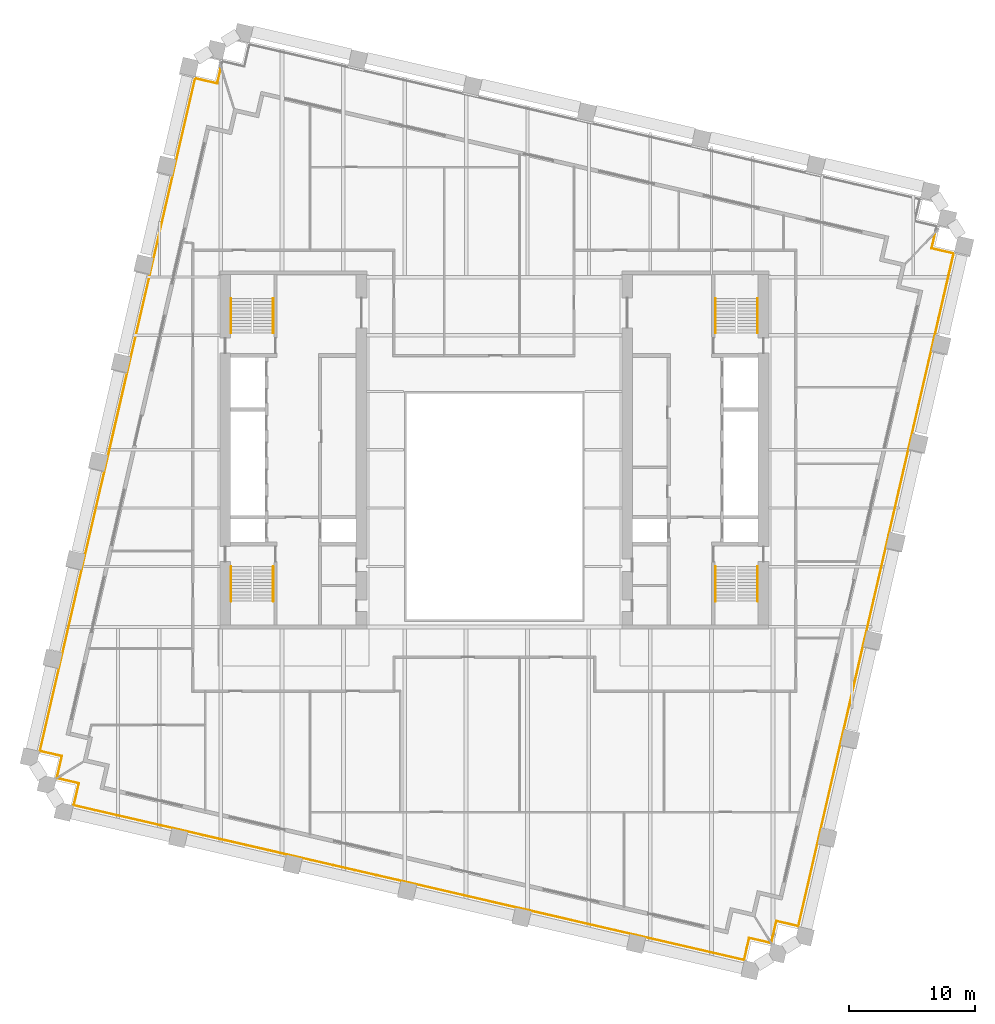
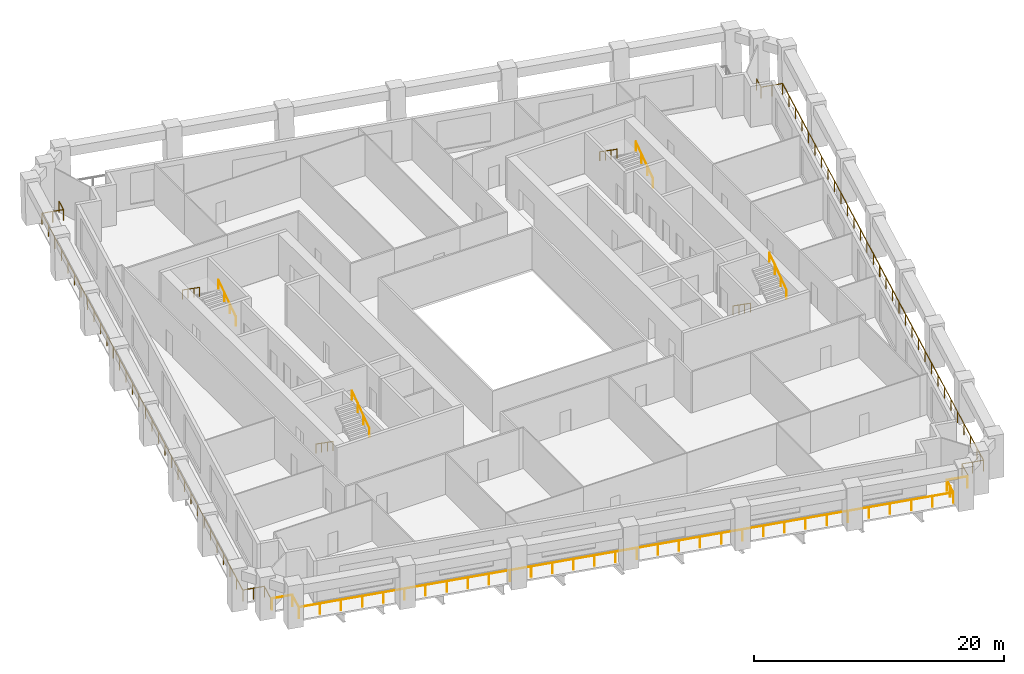
# One storey, part 9 of 10: 11 railings.
"""IFC4 building model written with IfcOpenShell, lengths in metres."""

from ifc_helpers import new_model, si_unit, direction, frame, origin, origin_2d, place, context, subcontext, project, spatial, circle, extrude, material, type_object, element, save


model = new_model("IFC4")

# Units and contexts
model_context = context("Model", 3, precision=1e-05, world=origin(), true_north=direction((0.0, 1.0)))
body_context = subcontext(model_context, "Body", "Model", "MODEL_VIEW")
ifc_project = project(units=[si_unit("LENGTHUNIT", "METRE"), si_unit("AREAUNIT", "SQUARE_METRE"), si_unit("VOLUMEUNIT", "CUBIC_METRE"), si_unit("PLANEANGLEUNIT", "RADIAN"), si_unit("MASSUNIT", "GRAM", prefix="KILO")], contexts=[model_context])

# Site, building, storey
site_placement = place(None, origin())
site = spatial("IfcSite", under=ifc_project, at=site_placement, CompositionType="ELEMENT")
building_placement = place(site_placement, origin())
building = spatial("IfcBuilding", under=site, at=building_placement, Name="Ogive Exchange Tower", CompositionType="ELEMENT")
storey_placement = place(building_placement, frame((0.0, 0.0, 118.199951171875)))
storey = spatial("IfcBuildingStorey", under=building, at=storey_placement, Name="L25", CompositionType="ELEMENT", Elevation=118.199951171875)

# Railings
ifc_material_1 = material(Name="Stainless steel 316", Category="steel")
railing_type_1 = type_object("IfcRailingType", Name="Guard 1100 stainless steel and glass", PredefinedType="GUARDRAIL", material=ifc_material_1)
railing_1_placement = place(storey_placement, frame((21.947265625, -27.74462890625, -0.050048828125)))
element("IfcRailing", 1, at=railing_1_placement, inside=storey, type_object=railing_type_1, Name="Loggia guard 1", PredefinedType="GUARDRAIL", context=body_context, shape_type="SweptSolid", body=[
    extrude(circle(Radius=0.02392578125, at=origin_2d()), frame((0.0, 0.0, 1.076171875), z_axis=(-0.974396013545, 0.224838628327, 0.0), x_axis=(-0.224838628327, -0.974396013545, 0.0)), (0.0, 0.0, 1.0), 1.7080078125),
    extrude(circle(Radius=0.02392578125, at=origin_2d()), frame((-1.664306640625, 0.384033203125, 1.076171875), z_axis=(-0.225008086135, -0.974356896201, 0.0), x_axis=(0.974356896201, -0.225008086135, 0.0)), (0.0, 0.0, 1.0), 1.800048828125),
    extrude(circle(Radius=0.02392578125, at=origin_2d()), frame((-2.0693359375, -1.369873046875, 1.076171875), z_axis=(-0.974368873975, 0.224956212247, 0.0), x_axis=(-0.224956212247, -0.974368873975, 0.0)), (0.0, 0.0, 1.0), 54.760009765625),
    extrude(circle(Radius=0.02392578125, at=origin_2d()), frame((-55.42578125, 10.94873046875, 1.076171875), z_axis=(0.22503782496, 0.974350028141, 0.0), x_axis=(-0.974350028141, 0.22503782496, 0.0)), (0.0, 0.0, 1.0), 1.7998046875),
    extrude(circle(Radius=0.02392578125, at=origin_2d()), frame((-55.020751953125, 12.702392578125, 1.076171875), z_axis=(-0.974364690374, 0.224974332206, 0.0), x_axis=(-0.224974332206, -0.974364690374, 0.0)), (0.0, 0.0, 1.0), 1.7080078125),
    extrude(circle(Radius=0.02099609375, at=origin_2d()), origin(), (0.0, 0.0, 1.0), 1.052001953125),
    extrude(circle(Radius=0.02099609375, at=origin_2d()), frame((-1.664306640625, 0.384033203125, 0.0)), (0.0, 0.0, 1.0), 1.052001953125),
    extrude(circle(Radius=0.02099609375, at=origin_2d()), frame((-1.86669921875, -0.492919921875, 0.0)), (0.0, 0.0, 1.0), 1.052001953125),
    extrude(circle(Radius=0.02099609375, at=origin_2d()), frame((-2.0693359375, -1.369873046875, 0.0)), (0.0, 0.0, 1.0), 1.052001953125),
    extrude(circle(Radius=0.02099609375, at=origin_2d()), frame((-3.79052734375, -0.972412109375, 0.0)), (0.0, 0.0, 1.0), 1.052001953125),
    extrude(circle(Radius=0.02099609375, at=origin_2d()), frame((-5.51171875, -0.5751953125, 0.0)), (0.0, 0.0, 1.0), 1.052001953125),
    extrude(circle(Radius=0.02099609375, at=origin_2d()), frame((-7.23291015625, -0.177734375, 0.0)), (0.0, 0.0, 1.0), 1.052001953125),
    extrude(circle(Radius=0.02099609375, at=origin_2d()), frame((-8.9541015625, 0.2197265625, 0.0)), (0.0, 0.0, 1.0), 1.052001953125),
    extrude(circle(Radius=0.02099609375, at=origin_2d()), frame((-10.67529296875, 0.616943359375, 0.0)), (0.0, 0.0, 1.0), 1.052001953125),
    extrude(circle(Radius=0.02099609375, at=origin_2d()), frame((-12.396484375, 1.014404296875, 0.0)), (0.0, 0.0, 1.0), 1.052001953125),
    extrude(circle(Radius=0.02099609375, at=origin_2d()), frame((-14.11767578125, 1.411865234375, 0.0)), (0.0, 0.0, 1.0), 1.052001953125),
    extrude(circle(Radius=0.02099609375, at=origin_2d()), frame((-15.838623046875, 1.80908203125, 0.0)), (0.0, 0.0, 1.0), 1.052001953125),
    extrude(circle(Radius=0.02099609375, at=origin_2d()), frame((-17.559814453125, 2.20654296875, 0.0)), (0.0, 0.0, 1.0), 1.052001953125),
    extrude(circle(Radius=0.02099609375, at=origin_2d()), frame((-19.281005859375, 2.603759765625, 0.0)), (0.0, 0.0, 1.0), 1.052001953125),
    extrude(circle(Radius=0.02099609375, at=origin_2d()), frame((-21.002197265625, 3.001220703125, 0.0)), (0.0, 0.0, 1.0), 1.052001953125),
    extrude(circle(Radius=0.02099609375, at=origin_2d()), frame((-22.723388671875, 3.398681640625, 0.0)), (0.0, 0.0, 1.0), 1.052001953125),
    extrude(circle(Radius=0.02099609375, at=origin_2d()), frame((-24.444580078125, 3.7958984375, 0.0)), (0.0, 0.0, 1.0), 1.052001953125),
    extrude(circle(Radius=0.02099609375, at=origin_2d()), frame((-26.165771484375, 4.193359375, 0.0)), (0.0, 0.0, 1.0), 1.052001953125),
    extrude(circle(Radius=0.02099609375, at=origin_2d()), frame((-27.886962890625, 4.5908203125, 0.0)), (0.0, 0.0, 1.0), 1.052001953125),
    extrude(circle(Radius=0.02099609375, at=origin_2d()), frame((-29.608154296875, 4.988037109375, 0.0)), (0.0, 0.0, 1.0), 1.052001953125),
    extrude(circle(Radius=0.02099609375, at=origin_2d()), frame((-31.329345703125, 5.385498046875, 0.0)), (0.0, 0.0, 1.0), 1.052001953125),
    extrude(circle(Radius=0.02099609375, at=origin_2d()), frame((-33.050537109375, 5.782958984375, 0.0)), (0.0, 0.0, 1.0), 1.052001953125),
    extrude(circle(Radius=0.02099609375, at=origin_2d()), frame((-34.771728515625, 6.18017578125, 0.0)), (0.0, 0.0, 1.0), 1.052001953125),
    extrude(circle(Radius=0.02099609375, at=origin_2d()), frame((-36.492919921875, 6.57763671875, 0.0)), (0.0, 0.0, 1.0), 1.052001953125),
    extrude(circle(Radius=0.02099609375, at=origin_2d()), frame((-38.214111328125, 6.97509765625, 0.0)), (0.0, 0.0, 1.0), 1.052001953125),
    extrude(circle(Radius=0.02099609375, at=origin_2d()), frame((-39.935302734375, 7.372314453125, 0.0)), (0.0, 0.0, 1.0), 1.052001953125),
    extrude(circle(Radius=0.02099609375, at=origin_2d()), frame((-41.656494140625, 7.769775390625, 0.0)), (0.0, 0.0, 1.0), 1.052001953125),
    extrude(circle(Radius=0.02099609375, at=origin_2d()), frame((-43.37744140625, 8.1669921875, 0.0)), (0.0, 0.0, 1.0), 1.052001953125),
    extrude(circle(Radius=0.02099609375, at=origin_2d()), frame((-45.0986328125, 8.564453125, 0.0)), (0.0, 0.0, 1.0), 1.052001953125),
    extrude(circle(Radius=0.02099609375, at=origin_2d()), frame((-46.81982421875, 8.9619140625, 0.0)), (0.0, 0.0, 1.0), 1.052001953125),
    extrude(circle(Radius=0.02099609375, at=origin_2d()), frame((-48.541015625, 9.359130859375, 0.0)), (0.0, 0.0, 1.0), 1.052001953125),
    extrude(circle(Radius=0.02099609375, at=origin_2d()), frame((-50.26220703125, 9.756591796875, 0.0)), (0.0, 0.0, 1.0), 1.052001953125),
    extrude(circle(Radius=0.02099609375, at=origin_2d()), frame((-51.9833984375, 10.154052734375, 0.0)), (0.0, 0.0, 1.0), 1.052001953125),
    extrude(circle(Radius=0.02099609375, at=origin_2d()), frame((-53.70458984375, 10.55126953125, 0.0)), (0.0, 0.0, 1.0), 1.052001953125),
    extrude(circle(Radius=0.02099609375, at=origin_2d()), frame((-55.42578125, 10.94873046875, 0.0)), (0.0, 0.0, 1.0), 1.052001953125),
    extrude(circle(Radius=0.02099609375, at=origin_2d()), frame((-55.020751953125, 12.702392578125, 0.0)), (0.0, 0.0, 1.0), 1.052001953125),
    extrude(circle(Radius=0.02099609375, at=origin_2d()), frame((-56.68505859375, 13.086669921875, 0.0)), (0.0, 0.0, 1.0), 1.052001953125),
])
railing_2_placement = place(storey_placement, frame((-34.806884765625, -14.547607421875, -0.050048828125)))
element("IfcRailing", 2, at=railing_2_placement, inside=storey, type_object=railing_type_1, Name="Loggia guard 2", PredefinedType="GUARDRAIL", context=body_context, shape_type="SweptSolid", body=[
    extrude(circle(Radius=0.02392578125, at=origin_2d()), frame((0.0, 0.0, 1.076171875), z_axis=(0.224974332206, 0.974364690374, 0.0), x_axis=(-0.974364690374, 0.224974332206, 0.0)), (0.0, 0.0, 1.0), 1.7080078125),
    extrude(circle(Radius=0.02392578125, at=origin_2d()), frame((0.38427734375, 1.664306640625, 1.076171875), z_axis=(-0.974386623598, 0.224879318197, 0.0), x_axis=(-0.224879318197, -0.974386623598, 0.0)), (0.0, 0.0, 1.0), 1.800048828125),
    extrude(circle(Radius=0.02392578125, at=origin_2d()), frame((-1.36962890625, 2.069091796875, 1.076171875), z_axis=(0.224952307127, 0.974369775557, 0.0), x_axis=(-0.974369775557, 0.224952307127, 0.0)), (0.0, 0.0, 1.0), 54.950927734375),
    extrude(circle(Radius=0.02392578125, at=origin_2d()), frame((10.99169921875, 55.611572265625, 1.076171875), z_axis=(0.974386623598, -0.224879318197, 0.0), x_axis=(0.224879318197, 0.974386623598, 0.0)), (0.0, 0.0, 1.0), 1.800048828125),
    extrude(circle(Radius=0.02392578125, at=origin_2d()), frame((12.74560546875, 55.206787109375, 1.076171875), z_axis=(0.224918969325, 0.974377471639, 0.0), x_axis=(-0.974377471639, 0.224918969325, 0.0)), (0.0, 0.0, 1.0), 1.199462890625),
    extrude(circle(Radius=0.02099609375, at=origin_2d()), origin(), (0.0, 0.0, 1.0), 1.052001953125),
    extrude(circle(Radius=0.02099609375, at=origin_2d()), frame((0.38427734375, 1.664306640625, 0.0)), (0.0, 0.0, 1.0), 1.052001953125),
    extrude(circle(Radius=0.02099609375, at=origin_2d()), frame((-0.49267578125, 1.86669921875, 0.0)), (0.0, 0.0, 1.0), 1.052001953125),
    extrude(circle(Radius=0.02099609375, at=origin_2d()), frame((-1.36962890625, 2.069091796875, 0.0)), (0.0, 0.0, 1.0), 1.052001953125),
    extrude(circle(Radius=0.02099609375, at=origin_2d()), frame((-0.970947265625, 3.79638671875, 0.0)), (0.0, 0.0, 1.0), 1.052001953125),
    extrude(circle(Radius=0.02099609375, at=origin_2d()), frame((-0.572021484375, 5.5234375, 0.0)), (0.0, 0.0, 1.0), 1.052001953125),
    extrude(circle(Radius=0.02099609375, at=origin_2d()), frame((-0.17333984375, 7.250732421875, 0.0)), (0.0, 0.0, 1.0), 1.052001953125),
    extrude(circle(Radius=0.02099609375, at=origin_2d()), frame((0.225341796875, 8.977783203125, 0.0)), (0.0, 0.0, 1.0), 1.052001953125),
    extrude(circle(Radius=0.02099609375, at=origin_2d()), frame((0.6240234375, 10.705078125, 0.0)), (0.0, 0.0, 1.0), 1.052001953125),
    extrude(circle(Radius=0.02099609375, at=origin_2d()), frame((1.02294921875, 12.43212890625, 0.0)), (0.0, 0.0, 1.0), 1.052001953125),
    extrude(circle(Radius=0.02099609375, at=origin_2d()), frame((1.421630859375, 14.159423828125, 0.0)), (0.0, 0.0, 1.0), 1.052001953125),
    extrude(circle(Radius=0.02099609375, at=origin_2d()), frame((1.8203125, 15.886474609375, 0.0)), (0.0, 0.0, 1.0), 1.052001953125),
    extrude(circle(Radius=0.02099609375, at=origin_2d()), frame((2.21923828125, 17.61376953125, 0.0)), (0.0, 0.0, 1.0), 1.052001953125),
    extrude(circle(Radius=0.02099609375, at=origin_2d()), frame((2.617919921875, 19.3408203125, 0.0)), (0.0, 0.0, 1.0), 1.052001953125),
    extrude(circle(Radius=0.02099609375, at=origin_2d()), frame((3.0166015625, 21.068115234375, 0.0)), (0.0, 0.0, 1.0), 1.052001953125),
    extrude(circle(Radius=0.02099609375, at=origin_2d()), frame((3.415283203125, 22.795166015625, 0.0)), (0.0, 0.0, 1.0), 1.052001953125),
    extrude(circle(Radius=0.02099609375, at=origin_2d()), frame((3.814208984375, 24.5224609375, 0.0)), (0.0, 0.0, 1.0), 1.052001953125),
    extrude(circle(Radius=0.02099609375, at=origin_2d()), frame((4.212890625, 26.24951171875, 0.0)), (0.0, 0.0, 1.0), 1.052001953125),
    extrude(circle(Radius=0.02099609375, at=origin_2d()), frame((4.611572265625, 27.976806640625, 0.0)), (0.0, 0.0, 1.0), 1.052001953125),
    extrude(circle(Radius=0.02099609375, at=origin_2d()), frame((5.010498046875, 29.703857421875, 0.0)), (0.0, 0.0, 1.0), 1.052001953125),
    extrude(circle(Radius=0.02099609375, at=origin_2d()), frame((5.4091796875, 31.43115234375, 0.0)), (0.0, 0.0, 1.0), 1.052001953125),
    extrude(circle(Radius=0.02099609375, at=origin_2d()), frame((5.807861328125, 33.158203125, 0.0)), (0.0, 0.0, 1.0), 1.052001953125),
    extrude(circle(Radius=0.02099609375, at=origin_2d()), frame((6.206787109375, 34.885498046875, 0.0)), (0.0, 0.0, 1.0), 1.052001953125),
    extrude(circle(Radius=0.02099609375, at=origin_2d()), frame((6.60546875, 36.612548828125, 0.0)), (0.0, 0.0, 1.0), 1.052001953125),
    extrude(circle(Radius=0.02099609375, at=origin_2d()), frame((7.004150390625, 38.33984375, 0.0)), (0.0, 0.0, 1.0), 1.052001953125),
    extrude(circle(Radius=0.02099609375, at=origin_2d()), frame((7.40283203125, 40.06689453125, 0.0)), (0.0, 0.0, 1.0), 1.052001953125),
    extrude(circle(Radius=0.02099609375, at=origin_2d()), frame((7.8017578125, 41.794189453125, 0.0)), (0.0, 0.0, 1.0), 1.052001953125),
    extrude(circle(Radius=0.02099609375, at=origin_2d()), frame((8.200439453125, 43.521240234375, 0.0)), (0.0, 0.0, 1.0), 1.052001953125),
    extrude(circle(Radius=0.02099609375, at=origin_2d()), frame((8.59912109375, 45.24853515625, 0.0)), (0.0, 0.0, 1.0), 1.052001953125),
    extrude(circle(Radius=0.02099609375, at=origin_2d()), frame((8.998046875, 46.9755859375, 0.0)), (0.0, 0.0, 1.0), 1.052001953125),
    extrude(circle(Radius=0.02099609375, at=origin_2d()), frame((9.396728515625, 48.702880859375, 0.0)), (0.0, 0.0, 1.0), 1.052001953125),
    extrude(circle(Radius=0.02099609375, at=origin_2d()), frame((9.79541015625, 50.429931640625, 0.0)), (0.0, 0.0, 1.0), 1.052001953125),
    extrude(circle(Radius=0.02099609375, at=origin_2d()), frame((10.194091796875, 52.1572265625, 0.0)), (0.0, 0.0, 1.0), 1.052001953125),
    extrude(circle(Radius=0.02099609375, at=origin_2d()), frame((10.593017578125, 53.88427734375, 0.0)), (0.0, 0.0, 1.0), 1.052001953125),
    extrude(circle(Radius=0.02099609375, at=origin_2d()), frame((10.99169921875, 55.611572265625, 0.0)), (0.0, 0.0, 1.0), 1.052001953125),
    extrude(circle(Radius=0.02099609375, at=origin_2d()), frame((11.86865234375, 55.4091796875, 0.0)), (0.0, 0.0, 1.0), 1.052001953125),
    extrude(circle(Radius=0.02099609375, at=origin_2d()), frame((12.74560546875, 55.206787109375, 0.0)), (0.0, 0.0, 1.0), 1.052001953125),
    extrude(circle(Radius=0.02099609375, at=origin_2d()), frame((13.015380859375, 56.37548828125, 0.0)), (0.0, 0.0, 1.0), 1.052001953125),
])
railing_3_placement = place(storey_placement, frame((35.07275390625, 28.69970703125, -0.050048828125)))
element("IfcRailing", 3, at=railing_3_placement, inside=storey, type_object=railing_type_1, Name="Loggia guard 4", PredefinedType="GUARDRAIL", context=body_context, shape_type="SweptSolid", body=[
    extrude(circle(Radius=0.02392578125, at=origin_2d()), frame((0.0, 0.0, 1.076171875), z_axis=(-0.224918969325, -0.974377471639, 0.0), x_axis=(0.974377471639, -0.224918969325, 0.0)), (0.0, 0.0, 1.0), 1.199462890625),
    extrude(circle(Radius=0.02392578125, at=origin_2d()), frame((-0.269775390625, -1.168701171875, 1.076171875), z_axis=(0.974386623598, -0.224879318197, 0.0), x_axis=(0.224879318197, 0.974386623598, 0.0)), (0.0, 0.0, 1.0), 1.800048828125),
    extrude(circle(Radius=0.02392578125, at=origin_2d()), frame((1.484130859375, -1.573486328125, 1.076171875), z_axis=(-0.224951333309, -0.974370000381, 0.0), x_axis=(0.974370000381, -0.224951333309, 0.0)), (0.0, 0.0, 1.0), 54.951171875),
    extrude(circle(Radius=0.02392578125, at=origin_2d()), frame((-10.877197265625, -55.1162109375, 1.076171875), z_axis=(-0.974356896201, 0.225008086135, 0.0), x_axis=(-0.225008086135, -0.974356896201, 0.0)), (0.0, 0.0, 1.0), 1.800048828125),
    extrude(circle(Radius=0.02392578125, at=origin_2d()), frame((-12.631103515625, -54.711181640625, 1.076171875), z_axis=(-0.224974332206, -0.974364690374, 0.0), x_axis=(0.974364690374, -0.224974332206, 0.0)), (0.0, 0.0, 1.0), 1.7080078125),
    extrude(circle(Radius=0.02099609375, at=origin_2d()), origin(), (0.0, 0.0, 1.0), 1.052001953125),
    extrude(circle(Radius=0.02099609375, at=origin_2d()), frame((-0.269775390625, -1.168701171875, 0.0)), (0.0, 0.0, 1.0), 1.052001953125),
    extrude(circle(Radius=0.02099609375, at=origin_2d()), frame((0.607177734375, -1.37109375, 0.0)), (0.0, 0.0, 1.0), 1.052001953125),
    extrude(circle(Radius=0.02099609375, at=origin_2d()), frame((1.484130859375, -1.573486328125, 0.0)), (0.0, 0.0, 1.0), 1.052001953125),
    extrude(circle(Radius=0.02099609375, at=origin_2d()), frame((1.08544921875, -3.30078125, 0.0)), (0.0, 0.0, 1.0), 1.052001953125),
    extrude(circle(Radius=0.02099609375, at=origin_2d()), frame((0.6865234375, -5.02783203125, 0.0)), (0.0, 0.0, 1.0), 1.052001953125),
    extrude(circle(Radius=0.02099609375, at=origin_2d()), frame((0.287841796875, -6.755126953125, 0.0)), (0.0, 0.0, 1.0), 1.052001953125),
    extrude(circle(Radius=0.02099609375, at=origin_2d()), frame((-0.11083984375, -8.482177734375, 0.0)), (0.0, 0.0, 1.0), 1.052001953125),
    extrude(circle(Radius=0.02099609375, at=origin_2d()), frame((-0.509521484375, -10.20947265625, 0.0)), (0.0, 0.0, 1.0), 1.052001953125),
    extrude(circle(Radius=0.02099609375, at=origin_2d()), frame((-0.908447265625, -11.9365234375, 0.0)), (0.0, 0.0, 1.0), 1.052001953125),
    extrude(circle(Radius=0.02099609375, at=origin_2d()), frame((-1.30712890625, -13.663818359375, 0.0)), (0.0, 0.0, 1.0), 1.052001953125),
    extrude(circle(Radius=0.02099609375, at=origin_2d()), frame((-1.705810546875, -15.390869140625, 0.0)), (0.0, 0.0, 1.0), 1.052001953125),
    extrude(circle(Radius=0.02099609375, at=origin_2d()), frame((-2.104736328125, -17.1181640625, 0.0)), (0.0, 0.0, 1.0), 1.052001953125),
    extrude(circle(Radius=0.02099609375, at=origin_2d()), frame((-2.50341796875, -18.84521484375, 0.0)), (0.0, 0.0, 1.0), 1.052001953125),
    extrude(circle(Radius=0.02099609375, at=origin_2d()), frame((-2.902099609375, -20.572509765625, 0.0)), (0.0, 0.0, 1.0), 1.052001953125),
    extrude(circle(Radius=0.02099609375, at=origin_2d()), frame((-3.30078125, -22.2998046875, 0.0)), (0.0, 0.0, 1.0), 1.052001953125),
    extrude(circle(Radius=0.02099609375, at=origin_2d()), frame((-3.69970703125, -24.02685546875, 0.0)), (0.0, 0.0, 1.0), 1.052001953125),
    extrude(circle(Radius=0.02099609375, at=origin_2d()), frame((-4.098388671875, -25.754150390625, 0.0)), (0.0, 0.0, 1.0), 1.052001953125),
    extrude(circle(Radius=0.02099609375, at=origin_2d()), frame((-4.4970703125, -27.481201171875, 0.0)), (0.0, 0.0, 1.0), 1.052001953125),
    extrude(circle(Radius=0.02099609375, at=origin_2d()), frame((-4.89599609375, -29.20849609375, 0.0)), (0.0, 0.0, 1.0), 1.052001953125),
    extrude(circle(Radius=0.02099609375, at=origin_2d()), frame((-5.294677734375, -30.935546875, 0.0)), (0.0, 0.0, 1.0), 1.052001953125),
    extrude(circle(Radius=0.02099609375, at=origin_2d()), frame((-5.693359375, -32.662841796875, 0.0)), (0.0, 0.0, 1.0), 1.052001953125),
    extrude(circle(Radius=0.02099609375, at=origin_2d()), frame((-6.09228515625, -34.389892578125, 0.0)), (0.0, 0.0, 1.0), 1.052001953125),
    extrude(circle(Radius=0.02099609375, at=origin_2d()), frame((-6.490966796875, -36.1171875, 0.0)), (0.0, 0.0, 1.0), 1.052001953125),
    extrude(circle(Radius=0.02099609375, at=origin_2d()), frame((-6.8896484375, -37.844482421875, 0.0)), (0.0, 0.0, 1.0), 1.052001953125),
    extrude(circle(Radius=0.02099609375, at=origin_2d()), frame((-7.288330078125, -39.571533203125, 0.0)), (0.0, 0.0, 1.0), 1.052001953125),
    extrude(circle(Radius=0.02099609375, at=origin_2d()), frame((-7.687255859375, -41.298828125, 0.0)), (0.0, 0.0, 1.0), 1.052001953125),
    extrude(circle(Radius=0.02099609375, at=origin_2d()), frame((-8.0859375, -43.02587890625, 0.0)), (0.0, 0.0, 1.0), 1.052001953125),
    extrude(circle(Radius=0.02099609375, at=origin_2d()), frame((-8.484619140625, -44.753173828125, 0.0)), (0.0, 0.0, 1.0), 1.052001953125),
    extrude(circle(Radius=0.02099609375, at=origin_2d()), frame((-8.883544921875, -46.480224609375, 0.0)), (0.0, 0.0, 1.0), 1.052001953125),
    extrude(circle(Radius=0.02099609375, at=origin_2d()), frame((-9.2822265625, -48.20751953125, 0.0)), (0.0, 0.0, 1.0), 1.052001953125),
    extrude(circle(Radius=0.02099609375, at=origin_2d()), frame((-9.680908203125, -49.9345703125, 0.0)), (0.0, 0.0, 1.0), 1.052001953125),
    extrude(circle(Radius=0.02099609375, at=origin_2d()), frame((-10.07958984375, -51.661865234375, 0.0)), (0.0, 0.0, 1.0), 1.052001953125),
    extrude(circle(Radius=0.02099609375, at=origin_2d()), frame((-10.478515625, -53.388916015625, 0.0)), (0.0, 0.0, 1.0), 1.052001953125),
    extrude(circle(Radius=0.02099609375, at=origin_2d()), frame((-10.877197265625, -55.1162109375, 0.0)), (0.0, 0.0, 1.0), 1.052001953125),
    extrude(circle(Radius=0.02099609375, at=origin_2d()), frame((-11.754150390625, -54.91357421875, 0.0)), (0.0, 0.0, 1.0), 1.052001953125),
    extrude(circle(Radius=0.02099609375, at=origin_2d()), frame((-12.631103515625, -54.711181640625, 0.0)), (0.0, 0.0, 1.0), 1.052001953125),
    extrude(circle(Radius=0.02099609375, at=origin_2d()), frame((-13.015380859375, -56.37548828125, 0.0)), (0.0, 0.0, 1.0), 1.052001953125),
])
ifc_material_2 = material(Name="Stainless steel", Category="steel")
railing_type_2 = type_object("IfcRailingType", Name="Stair handrail 900", PredefinedType="HANDRAIL", material=ifc_material_2)
railing_4_placement = place(storey_placement, frame((-20.949951171875, 2.199951171875, 0.175048828125)))
element("IfcRailing", 4, at=railing_4_placement, inside=storey, type_object=railing_type_2, Name="L25 ST1 stair handrail 1", PredefinedType="HANDRAIL", context=body_context, shape_type="SweptSolid", body=[
    extrude(circle(Radius=0.02392578125, at=origin_2d()), frame((0.0, 0.0, 0.8759765625), z_axis=(0.0, -0.819225086817, 0.573472106672), x_axis=(1.0, 0.0, 0.0)), (0.0, 0.0, 1.0), 3.35693359375),
    extrude(circle(Radius=0.02099609375, at=origin_2d()), origin(), (0.0, 0.0, 1.0), 0.851806640625),
    extrude(circle(Radius=0.02099609375, at=origin_2d()), frame((0.0, -0.916748046875, 0.6416015625)), (0.0, 0.0, 1.0), 0.851806640625),
    extrude(circle(Radius=0.02099609375, at=origin_2d()), frame((0.0, -1.833251953125, 1.283447265625)), (0.0, 0.0, 1.0), 0.851806640625),
    extrude(circle(Radius=0.02099609375, at=origin_2d()), frame((0.0, -2.75, 1.925048828125)), (0.0, 0.0, 1.0), 0.851806640625),
])
railing_5_placement = place(storey_placement, frame((-17.60009765625, -0.550048828125, 2.275146484375)))
element("IfcRailing", 5, at=railing_5_placement, inside=storey, type_object=railing_type_2, Name="L25 ST1 stair handrail 2", PredefinedType="HANDRAIL", context=body_context, shape_type="SweptSolid", body=[
    extrude(circle(Radius=0.02392578125, at=origin_2d()), frame((0.0, 0.0, 0.8759765625), z_axis=(0.0, 0.819259255306, 0.573423292687), x_axis=(-1.0, 0.0, 0.0)), (0.0, 0.0, 1.0), 3.356689453125),
    extrude(circle(Radius=0.02099609375, at=origin_2d()), origin(), (0.0, 0.0, 1.0), 0.851806640625),
    extrude(circle(Radius=0.02099609375, at=origin_2d()), frame((0.0, 0.916748046875, 0.6416015625)), (0.0, 0.0, 1.0), 0.851806640625),
    extrude(circle(Radius=0.02099609375, at=origin_2d()), frame((0.0, 1.833251953125, 1.283203125)), (0.0, 0.0, 1.0), 0.851806640625),
    extrude(circle(Radius=0.02099609375, at=origin_2d()), frame((0.0, 2.75, 1.9248046875)), (0.0, 0.0, 1.0), 0.851806640625),
])
railing_6_placement = place(storey_placement, frame((-17.60009765625, 20.800048828125, 0.175048828125)))
element("IfcRailing", 6, at=railing_6_placement, inside=storey, type_object=railing_type_2, Name="L25 ST2 stair handrail 1", PredefinedType="HANDRAIL", context=body_context, shape_type="SweptSolid", body=[
    extrude(circle(Radius=0.02392578125, at=origin_2d()), frame((0.0, 0.0, 0.8759765625), z_axis=(0.0, 0.819225086817, 0.573472106672), x_axis=(-1.0, 0.0, 0.0)), (0.0, 0.0, 1.0), 3.35693359375),
    extrude(circle(Radius=0.02099609375, at=origin_2d()), origin(), (0.0, 0.0, 1.0), 0.851806640625),
    extrude(circle(Radius=0.02099609375, at=origin_2d()), frame((0.0, 0.916748046875, 0.6416015625)), (0.0, 0.0, 1.0), 0.851806640625),
    extrude(circle(Radius=0.02099609375, at=origin_2d()), frame((0.0, 1.833251953125, 1.283447265625)), (0.0, 0.0, 1.0), 0.851806640625),
    extrude(circle(Radius=0.02099609375, at=origin_2d()), frame((0.0, 2.75, 1.925048828125)), (0.0, 0.0, 1.0), 0.851806640625),
])
railing_7_placement = place(storey_placement, frame((-20.949951171875, 23.550048828125, 2.275146484375)))
element("IfcRailing", 7, at=railing_7_placement, inside=storey, type_object=railing_type_2, Name="L25 ST2 stair handrail 2", PredefinedType="HANDRAIL", context=body_context, shape_type="SweptSolid", body=[
    extrude(circle(Radius=0.02392578125, at=origin_2d()), frame((0.0, 0.0, 0.8759765625), z_axis=(0.0, -0.819259255306, 0.573423292687), x_axis=(1.0, 0.0, 0.0)), (0.0, 0.0, 1.0), 3.356689453125),
    extrude(circle(Radius=0.02099609375, at=origin_2d()), origin(), (0.0, 0.0, 1.0), 0.851806640625),
    extrude(circle(Radius=0.02099609375, at=origin_2d()), frame((0.0, -0.916748046875, 0.6416015625)), (0.0, 0.0, 1.0), 0.851806640625),
    extrude(circle(Radius=0.02099609375, at=origin_2d()), frame((0.0, -1.833251953125, 1.283203125)), (0.0, 0.0, 1.0), 0.851806640625),
    extrude(circle(Radius=0.02099609375, at=origin_2d()), frame((0.0, -2.75, 1.9248046875)), (0.0, 0.0, 1.0), 0.851806640625),
])
railing_8_placement = place(storey_placement, frame((17.60009765625, 2.199951171875, 0.175048828125)))
element("IfcRailing", 8, at=railing_8_placement, inside=storey, type_object=railing_type_2, Name="L25 ST3 stair handrail 1", PredefinedType="HANDRAIL", context=body_context, shape_type="SweptSolid", body=[
    extrude(circle(Radius=0.02392578125, at=origin_2d()), frame((0.0, 0.0, 0.8759765625), z_axis=(0.0, -0.819225086817, 0.573472106672), x_axis=(1.0, 0.0, 0.0)), (0.0, 0.0, 1.0), 3.35693359375),
    extrude(circle(Radius=0.02099609375, at=origin_2d()), origin(), (0.0, 0.0, 1.0), 0.851806640625),
    extrude(circle(Radius=0.02099609375, at=origin_2d()), frame((0.0, -0.916748046875, 0.6416015625)), (0.0, 0.0, 1.0), 0.851806640625),
    extrude(circle(Radius=0.02099609375, at=origin_2d()), frame((0.0, -1.833251953125, 1.283447265625)), (0.0, 0.0, 1.0), 0.851806640625),
    extrude(circle(Radius=0.02099609375, at=origin_2d()), frame((0.0, -2.75, 1.925048828125)), (0.0, 0.0, 1.0), 0.851806640625),
])
railing_9_placement = place(storey_placement, frame((20.949951171875, -0.550048828125, 2.275146484375)))
element("IfcRailing", 9, at=railing_9_placement, inside=storey, type_object=railing_type_2, Name="L25 ST3 stair handrail 2", PredefinedType="HANDRAIL", context=body_context, shape_type="SweptSolid", body=[
    extrude(circle(Radius=0.02392578125, at=origin_2d()), frame((0.0, 0.0, 0.8759765625), z_axis=(0.0, 0.819259255306, 0.573423292687), x_axis=(-1.0, 0.0, 0.0)), (0.0, 0.0, 1.0), 3.356689453125),
    extrude(circle(Radius=0.02099609375, at=origin_2d()), origin(), (0.0, 0.0, 1.0), 0.851806640625),
    extrude(circle(Radius=0.02099609375, at=origin_2d()), frame((0.0, 0.916748046875, 0.6416015625)), (0.0, 0.0, 1.0), 0.851806640625),
    extrude(circle(Radius=0.02099609375, at=origin_2d()), frame((0.0, 1.833251953125, 1.283203125)), (0.0, 0.0, 1.0), 0.851806640625),
    extrude(circle(Radius=0.02099609375, at=origin_2d()), frame((0.0, 2.75, 1.9248046875)), (0.0, 0.0, 1.0), 0.851806640625),
])
railing_10_placement = place(storey_placement, frame((20.949951171875, 20.800048828125, 0.175048828125)))
element("IfcRailing", 10, at=railing_10_placement, inside=storey, type_object=railing_type_2, Name="L25 ST4 stair handrail 1", PredefinedType="HANDRAIL", context=body_context, shape_type="SweptSolid", body=[
    extrude(circle(Radius=0.02392578125, at=origin_2d()), frame((0.0, 0.0, 0.8759765625), z_axis=(0.0, 0.819225086817, 0.573472106672), x_axis=(-1.0, 0.0, 0.0)), (0.0, 0.0, 1.0), 3.35693359375),
    extrude(circle(Radius=0.02099609375, at=origin_2d()), origin(), (0.0, 0.0, 1.0), 0.851806640625),
    extrude(circle(Radius=0.02099609375, at=origin_2d()), frame((0.0, 0.916748046875, 0.6416015625)), (0.0, 0.0, 1.0), 0.851806640625),
    extrude(circle(Radius=0.02099609375, at=origin_2d()), frame((0.0, 1.833251953125, 1.283447265625)), (0.0, 0.0, 1.0), 0.851806640625),
    extrude(circle(Radius=0.02099609375, at=origin_2d()), frame((0.0, 2.75, 1.925048828125)), (0.0, 0.0, 1.0), 0.851806640625),
])
railing_11_placement = place(storey_placement, frame((17.60009765625, 23.550048828125, 2.275146484375)))
element("IfcRailing", 11, at=railing_11_placement, inside=storey, type_object=railing_type_2, Name="L25 ST4 stair handrail 2", PredefinedType="HANDRAIL", context=body_context, shape_type="SweptSolid", body=[
    extrude(circle(Radius=0.02392578125, at=origin_2d()), frame((0.0, 0.0, 0.8759765625), z_axis=(0.0, -0.819259255306, 0.573423292687), x_axis=(1.0, 0.0, 0.0)), (0.0, 0.0, 1.0), 3.356689453125),
    extrude(circle(Radius=0.02099609375, at=origin_2d()), origin(), (0.0, 0.0, 1.0), 0.851806640625),
    extrude(circle(Radius=0.02099609375, at=origin_2d()), frame((0.0, -0.916748046875, 0.6416015625)), (0.0, 0.0, 1.0), 0.851806640625),
    extrude(circle(Radius=0.02099609375, at=origin_2d()), frame((0.0, -1.833251953125, 1.283203125)), (0.0, 0.0, 1.0), 0.851806640625),
    extrude(circle(Radius=0.02099609375, at=origin_2d()), frame((0.0, -2.75, 1.9248046875)), (0.0, 0.0, 1.0), 0.851806640625),
])

save(model, "model.ifc")
